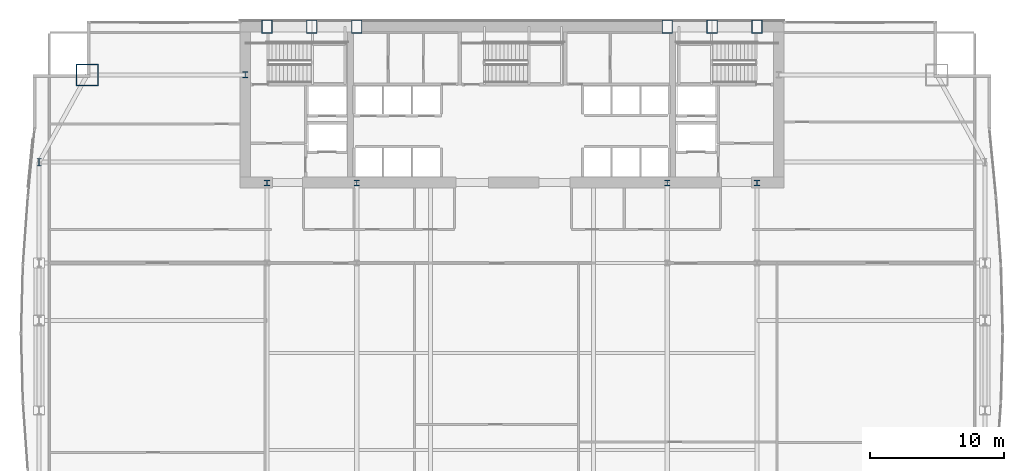
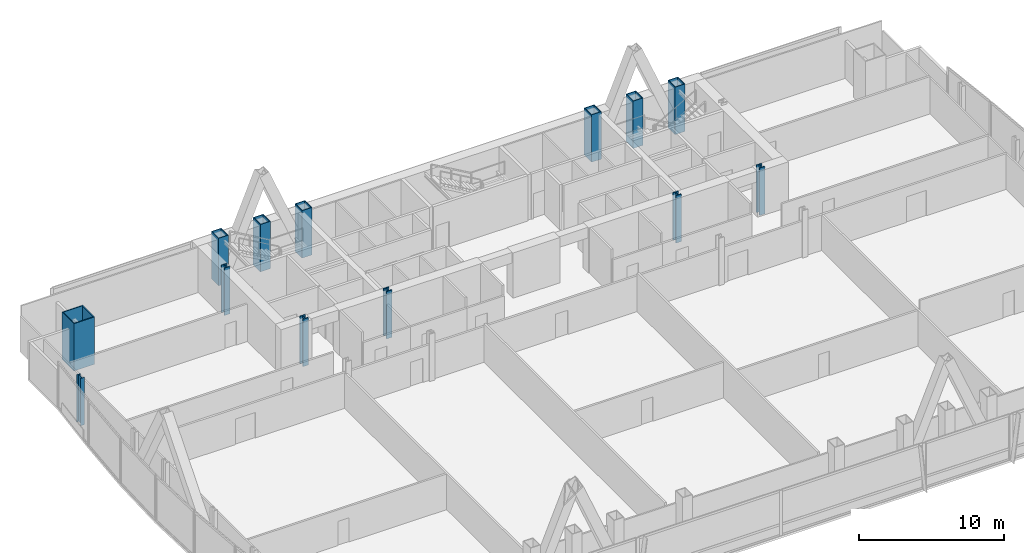
# One storey, part 3 of 33: 13 columns.
"""IFC4 building model written with IfcOpenShell, lengths in metres."""

from ifc_helpers import new_model, si_unit, direction, frame, origin, origin_2d, place, context, subcontext, project, spatial, hollow_rectangle, i_section, extrude, material, material_profile, profile_set, type_object, element, save


model = new_model("IFC4")

# Units and contexts
model_context = context("Model", 3, precision=1e-05, world=origin(), true_north=direction((0.0, 1.0)))
body_context = subcontext(model_context, "Body", "Model", "MODEL_VIEW")
ifc_project = project(units=[si_unit("LENGTHUNIT", "METRE"), si_unit("AREAUNIT", "SQUARE_METRE"), si_unit("VOLUMEUNIT", "CUBIC_METRE"), si_unit("PLANEANGLEUNIT", "RADIAN"), si_unit("MASSUNIT", "GRAM", prefix="KILO")], contexts=[model_context])

# Site, building, storey
site_placement = place(None, origin())
site = spatial("IfcSite", under=ifc_project, at=site_placement, CompositionType="ELEMENT")
building_placement = place(site_placement, origin())
building = spatial("IfcBuilding", under=site, at=building_placement, Name="Khoronbel Lancet Exchange", CompositionType="ELEMENT")
storey_placement = place(building_placement, frame((0.0, 0.0, 73.800048828125)))
storey = spatial("IfcBuildingStorey", under=building, at=storey_placement, Name="L17", CompositionType="ELEMENT", Elevation=73.800048828125)

# Columns
ifc_material_1 = material(Name="Steel S460", Category="steel")
ifc_material_profile_1 = material_profile(ifc_material_1, hollow_rectangle(XDim=0.800048828125, YDim=1.0, WallThickness=0.054931640625, at=origin_2d()), Name="BOX 1000x800x55")
ifc_profile_set_1 = profile_set([ifc_material_profile_1], Name="Steel S460")
column_type_1 = type_object("IfcColumnType", Name="COL-EC1", PredefinedType="COLUMN", material=ifc_profile_set_1)
for number, where, z_axis, x_axis, name in (
    (1, (18.22509765625, 53.280029296875, 0.0), (0.0, 0.0, 1.0), (1.0, 0.0, 0.0), "Structural column NC-W1 L17"),
    (2, (21.5625, 53.280029296875, 0.0), (0.0, 0.0, 1.0), (1.0, 0.0, 0.0), "Structural column NC-WM L17"),
    (3, (24.89990234375, 53.280029296875, 0.0), (0.0, 0.0, 1.0), (1.0, 0.0, 0.0), "Structural column NC-W2 L17"),
    (4, (48.0, 53.280029296875, 0.0), (0.0, 0.0, 1.0), (1.0, 0.0, 0.0), "Structural column NC-E1 L17"),
    (5, (51.33740234375, 53.280029296875, 0.0), (0.0, 0.0, 1.0), (1.0, 0.0, 0.0), "Structural column NC-EM L17"),
    (6, (54.675048828125, 53.280029296875, 0.0), (0.0, 0.0, 1.0), (1.0, 0.0, 0.0), "Structural column NC-E2 L17"),
):
    element("IfcColumn", number, at=place(storey_placement, frame(where, z_axis=z_axis, x_axis=x_axis)), inside=storey, type_object=column_type_1, Name=name, PredefinedType="COLUMN", context=body_context, shape_type="SweptSolid", body=[
        extrude(hollow_rectangle(XDim=0.800048828125, YDim=1.0, WallThickness=0.054931640625, at=origin_2d()), origin(), (0.0, 0.0, 1.0), 4.0),
    ])
ifc_material_profile_2 = material_profile(ifc_material_1, i_section(OverallWidth=0.424072265625, OverallDepth=0.47412109375, WebThickness=0.047607421875, FlangeThickness=0.076904296875, at=origin_2d()), Name="HD 400x634")
ifc_profile_set_2 = profile_set([ifc_material_profile_2], Name="Steel S460")
column_type_2 = type_object("IfcColumnType", Name="COL-IC1", PredefinedType="COLUMN", material=ifc_profile_set_2)
for number, where, z_axis, x_axis, name in (
    (7, (16.60009765625, 49.699951171875, 0.0), (0.0, 0.0, 1.0), (1.0, 0.0, 0.0), "Core-flank plumb transfer column CFW L17"),
    (8, (18.22509765625, 41.64990234375, 0.0), (0.0, 0.0, 1.0), (1.0, 0.0, 0.0), "Core-embedded steel column CTC1 L17"),
    (9, (24.89990234375, 41.64990234375, 0.0), (0.0, 0.0, 1.0), (1.0, 0.0, 0.0), "Core-embedded steel column CTC2 L17"),
    (10, (48.0, 41.64990234375, 0.0), (0.0, 0.0, 1.0), (1.0, 0.0, 0.0), "Core-embedded steel column CTC3 L17"),
    (11, (54.675048828125, 41.64990234375, 0.0), (0.0, 0.0, 1.0), (1.0, 0.0, 0.0), "Core-embedded steel column CTC4 L17"),
):
    element("IfcColumn", number, at=place(storey_placement, frame(where, z_axis=z_axis, x_axis=x_axis)), inside=storey, type_object=column_type_2, Name=name, PredefinedType="COLUMN", context=body_context, shape_type="SweptSolid", body=[
        extrude(i_section(OverallWidth=0.424072265625, OverallDepth=0.47412109375, WebThickness=0.047607421875, FlangeThickness=0.076904296875, at=origin_2d()), origin(), (0.0, 0.0, 1.0), 4.0),
    ])
ifc_material_2 = material(Name="Steel S355", Category="steel")
ifc_material_profile_3 = material_profile(ifc_material_2, i_section(OverallWidth=0.300048828125, OverallDepth=0.550048828125, WebThickness=0.014892578125, FlangeThickness=0.029052734375, at=origin_2d()), Name="HEB 550")
ifc_profile_set_3 = profile_set([ifc_material_profile_3], Name="Steel S355")
column_type_3 = type_object("IfcColumnType", Name="COL-LC1", PredefinedType="COLUMN", material=ifc_profile_set_3)
column_1_placement = place(storey_placement, frame((1.27001953125, 43.199951171875, 0.0), z_axis=(0.0, 0.0, 1.0), x_axis=(1.0, 0.0, 0.0)))
element("IfcColumn", 12, at=column_1_placement, inside=storey, type_object=column_type_3, Name="Structural column WC-4 L17", PredefinedType="COLUMN", context=body_context, shape_type="SweptSolid", body=[
    extrude(i_section(OverallWidth=0.300048828125, OverallDepth=0.550048828125, WebThickness=0.014892578125, FlangeThickness=0.029052734375, at=origin_2d()), origin(), (0.0, 0.0, 1.0), 4.0),
])
ifc_material_profile_4 = material_profile(ifc_material_1, hollow_rectangle(XDim=1.64990234375, YDim=1.64990234375, WallThickness=0.074951171875, at=origin_2d()), Name="BOX 1650x1650x75")
ifc_profile_set_4 = profile_set([ifc_material_profile_4], Name="Steel S460")
column_type_4 = type_object("IfcColumnType", Name="COL-MC2", PredefinedType="COLUMN", material=ifc_profile_set_4)
column_2_placement = place(storey_placement, frame((4.85009765625, 49.699951171875, 0.0), z_axis=(0.0, 0.0, 1.0), x_axis=(1.0, 0.0, 0.0)))
element("IfcColumn", 13, at=column_2_placement, inside=storey, type_object=column_type_4, Name="Structural column MC-NW L17", PredefinedType="COLUMN", context=body_context, shape_type="SweptSolid", body=[
    extrude(hollow_rectangle(XDim=1.64990234375, YDim=1.64990234375, WallThickness=0.074951171875, at=origin_2d()), origin(), (0.0, 0.0, 1.0), 4.0),
])

save(model, "model.ifc")
